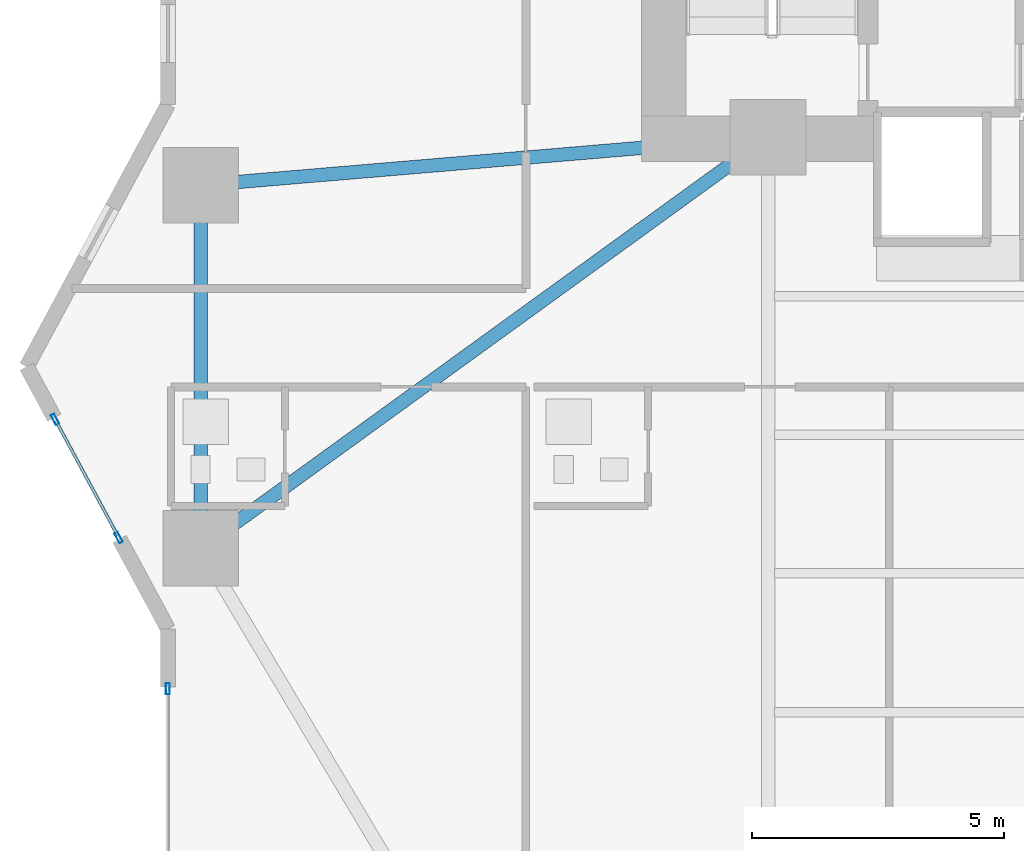
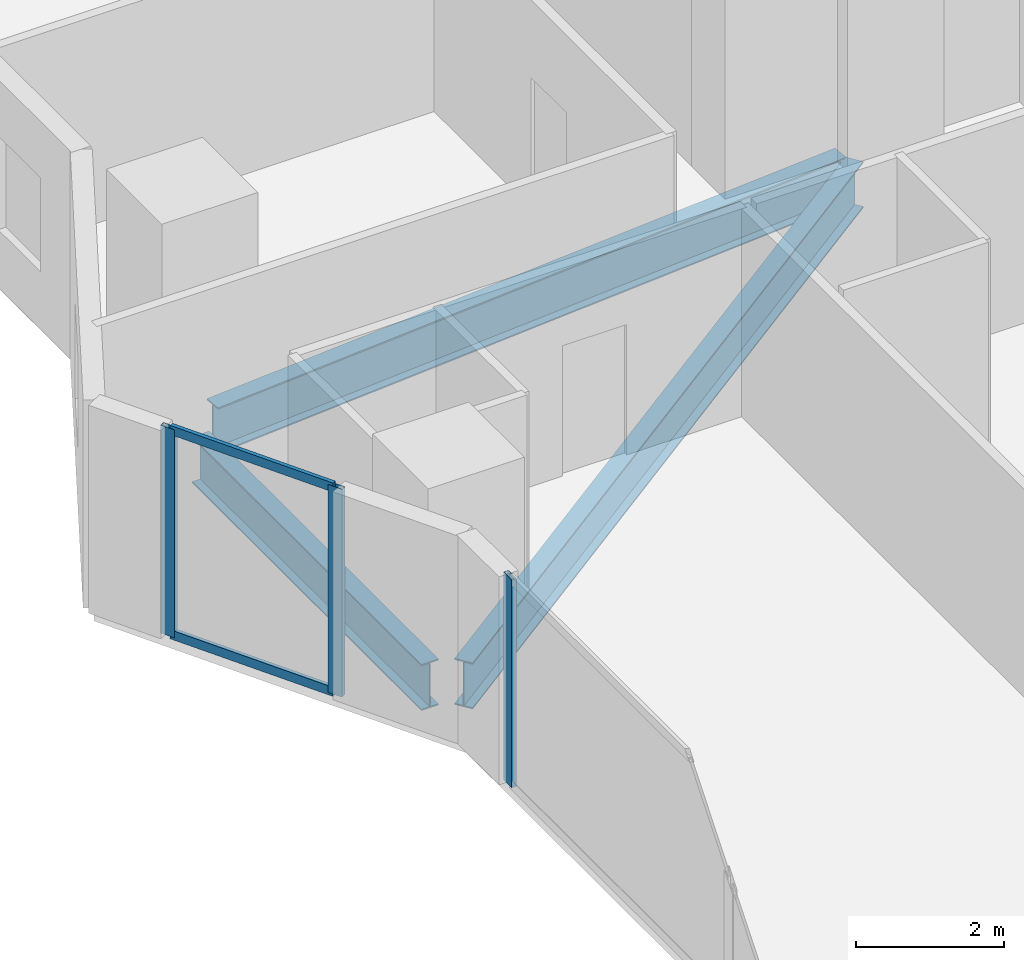
# One storey, part 6 of 28: 5 members, 3 beams, 2 elements without a shape of their own.
"""IFC4 building model written with IfcOpenShell, lengths in metres."""

from ifc_helpers import new_model, si_unit, direction, frame, origin, origin_2d, place, context, subcontext, project, spatial, hollow_rectangle, i_section, extrude, material, layer, layer_set, material_profile, profile_set, type_object, element, aggregate, save


model = new_model("IFC4")

# Units and contexts
model_context = context("Model", 3, precision=1e-05, world=origin(), true_north=direction((0.0, 1.0)))
body_context = subcontext(model_context, "Body", "Model", "MODEL_VIEW")
ifc_project = project(units=[si_unit("LENGTHUNIT", "METRE"), si_unit("AREAUNIT", "SQUARE_METRE"), si_unit("VOLUMEUNIT", "CUBIC_METRE"), si_unit("PLANEANGLEUNIT", "RADIAN"), si_unit("MASSUNIT", "GRAM", prefix="KILO")], contexts=[model_context])

# Site, building, storey
site_placement = place(None, origin())
site = spatial("IfcSite", under=ifc_project, at=site_placement, CompositionType="ELEMENT")
building_placement = place(site_placement, origin())
building = spatial("IfcBuilding", under=site, at=building_placement, Name="Zuhayl Quay Hotel", CompositionType="ELEMENT")
storey_placement = place(building_placement, frame((0.0, 0.0, 78.699951171875)))
storey = spatial("IfcBuildingStorey", under=building, at=storey_placement, Name="L19", CompositionType="ELEMENT", Elevation=78.699951171875)

# Beams
ifc_material_1 = material(Name="Steel ASTM A992 Grade 50", Category="steel")
ifc_material_profile_1 = material_profile(ifc_material_1, i_section(OverallWidth=0.26708984375, OverallDepth=0.761962890625, WebThickness=0.014404296875, FlangeThickness=0.021484375, at=origin_2d()), Name="W30X116")
ifc_profile_set_1 = profile_set([ifc_material_profile_1], Name="Steel ASTM A992 Grade 50")
beam_type = type_object("IfcBeamType", Name="BM_B1_W30X116", PredefinedType="BEAM", material=ifc_profile_set_1)
beam_1_placement = place(storey_placement, frame((-25.050048828125, 3.10009765625, -0.600830078125), z_axis=(0.0, -1.0, 0.0), x_axis=(1.0, 0.0, 0.0)))
element("IfcBeam", 1, at=beam_1_placement, inside=storey, type_object=beam_type, Name="L19 Floor Beam RG_L19_11", PredefinedType="BEAM", context=body_context, shape_type="SweptSolid", body=[
    extrude(i_section(OverallWidth=0.26708984375, OverallDepth=0.761962890625, WebThickness=0.014404296875, FlangeThickness=0.021484375, at=origin_2d()), origin(), (0.0, 0.0, 1.0), 6.2001953125),
])
beam_2_placement = place(storey_placement, frame((-24.64501953125, -3.306640625, -0.600830078125), z_axis=(0.809830244688, 0.586664277751, 0.0), x_axis=(-0.586664277751, 0.809830244688, 0.0)))
element("IfcBeam", 2, at=beam_2_placement, inside=storey, type_object=beam_type, Name="L19 Floor Beam FG_W_L19_1", PredefinedType="BEAM", context=body_context, shape_type="SweptSolid", body=[
    extrude(i_section(OverallWidth=0.26708984375, OverallDepth=0.761962890625, WebThickness=0.014404296875, FlangeThickness=0.021484375, at=origin_2d()), origin(), (0.0, 0.0, 1.0), 12.94189453125),
])
beam_3_placement = place(storey_placement, frame((-24.5517578125, 3.64208984375, -0.600830078125), z_axis=(0.996453145398, 0.084149444594, 0.0), x_axis=(-0.084149444594, 0.996453145398, 0.0)))
element("IfcBeam", 3, at=beam_3_placement, inside=storey, type_object=beam_type, Name="L19 Floor Beam FG_W_L19_2", PredefinedType="BEAM", context=body_context, shape_type="SweptSolid", body=[
    extrude(i_section(OverallWidth=0.26708984375, OverallDepth=0.761962890625, WebThickness=0.014404296875, FlangeThickness=0.021484375, at=origin_2d()), origin(), (0.0, 0.0, 1.0), 10.340087890625),
])

# Curtain wall, member
ifc_material_2 = material(Name="Anodised Aluminium 6063-T6", Category="aluminium")
ifc_layer = layer(ifc_material_2, 0.18994140625, Name="Anodised Aluminium 6063-T6", Category="aluminium")
ifc_layer_set = layer_set([ifc_layer], Name="Anodised Aluminium 6063-T6")
curtain_wall_type = type_object("IfcCurtainWallType", Name="CW_SYS_Z1", PredefinedType="USERDEFINED", material=ifc_layer_set)
curtain_wall_1_placement = place(storey_placement, origin())
curtain_wall_1 = element("IfcCurtainWall", 4, at=curtain_wall_1_placement, inside=storey, type_object=curtain_wall_type, Name="L19 Curtain Wall ENV_L19_E02_CW1", ObjectType="UNITISED CURTAIN WALL", PredefinedType="USERDEFINED")
ifc_material_3 = material(Name="Black-anodised aluminium 6063-T6", Category="aluminium")
ifc_material_profile_2 = material_profile(ifc_material_3, hollow_rectangle(XDim=0.074951171875, YDim=0.219970703125, WallThickness=0.00390625, at=origin_2d()), Name="ALU220X75")
ifc_profile_set_2 = profile_set([ifc_material_profile_2], Name="Black-anodised aluminium 6063-T6")
member_type_1 = type_object("IfcMemberType", Name="MB_CW_MUL_220", PredefinedType="MULLION", material=ifc_profile_set_2)
member_1_placement = place(storey_placement, frame((-25.699951171875, -6.387451171875, 0.0), z_axis=(0.0, 0.0, 1.0), x_axis=(-1.0, 0.0, 0.0)))
member_1 = element("IfcMember", 5, at=member_1_placement, type_object=member_type_1, Name="CW-Z1 mullion 3", PredefinedType="MULLION", context=body_context, shape_type="SweptSolid", body=[
    extrude(hollow_rectangle(XDim=0.074951171875, YDim=0.219970703125, WallThickness=0.00390625, at=origin_2d()), origin(), (0.0, 0.0, 1.0), 3.429931640625),
])
aggregate(curtain_wall_1, [member_1])

# Curtain wall, members
curtain_wall_2_placement = place(storey_placement, origin())
curtain_wall_2 = element("IfcCurtainWall", 6, at=curtain_wall_2_placement, inside=storey, type_object=curtain_wall_type, Name="L19 Curtain Wall ENV_L19_E03_CW1", ObjectType="UNITISED CURTAIN WALL", PredefinedType="USERDEFINED")
member_2_placement = place(storey_placement, frame((-26.67578125, -3.387939453125, 0.0), z_axis=(0.0, 0.0, 1.0), x_axis=(-0.880475795468, -0.474091102632, 0.0)))
member_2 = element("IfcMember", 7, at=member_2_placement, type_object=member_type_1, Name="CW-Z1 mullion 1", PredefinedType="MULLION", context=body_context, shape_type="SweptSolid", body=[
    extrude(hollow_rectangle(XDim=0.074951171875, YDim=0.219970703125, WallThickness=0.00390625, at=origin_2d()), origin(), (0.0, 0.0, 1.0), 3.429931640625),
])
member_3_placement = place(storey_placement, frame((-27.93701171875, -1.04541015625, 0.0), z_axis=(0.0, 0.0, 1.0), x_axis=(-0.880475795468, -0.474091102632, 0.0)))
member_3 = element("IfcMember", 8, at=member_3_placement, type_object=member_type_1, Name="CW-Z1 mullion 2", PredefinedType="MULLION", context=body_context, shape_type="SweptSolid", body=[
    extrude(hollow_rectangle(XDim=0.074951171875, YDim=0.219970703125, WallThickness=0.00390625, at=origin_2d()), origin(), (0.0, 0.0, 1.0), 3.429931640625),
])
ifc_material_profile_3 = material_profile(ifc_material_3, hollow_rectangle(XDim=0.06005859375, YDim=0.14990234375, WallThickness=0.00341796875, at=origin_2d()), Name="ALU150X60")
ifc_profile_set_3 = profile_set([ifc_material_profile_3], Name="Black-anodised aluminium 6063-T6")
member_type_2 = type_object("IfcMemberType", Name="MB_CW_TRN_150", PredefinedType="USERDEFINED", material=ifc_profile_set_3)
member_4_placement = place(storey_placement, frame((-26.693603515625, -3.35498046875, 0.030029296875), z_axis=(-0.474054771703, 0.880495356845, 0.0), x_axis=(-0.880495356845, -0.474054771703, 0.0)))
member_4 = element("IfcMember", 9, at=member_4_placement, type_object=member_type_2, Name="CW-Z1 transom 1.1", ObjectType="TRANSOM", PredefinedType="USERDEFINED", context=body_context, shape_type="SweptSolid", body=[
    extrude(hollow_rectangle(XDim=0.06005859375, YDim=0.14990234375, WallThickness=0.00341796875, at=origin_2d()), origin(), (0.0, 0.0, 1.0), 2.585205078125),
])
member_5_placement = place(storey_placement, frame((-26.693603515625, -3.35498046875, 3.400146484375), z_axis=(-0.474054771703, 0.880495356845, 0.0), x_axis=(-0.880495356845, -0.474054771703, 0.0)))
member_5 = element("IfcMember", 10, at=member_5_placement, type_object=member_type_2, Name="CW-Z1 transom 1.2", ObjectType="TRANSOM", PredefinedType="USERDEFINED", context=body_context, shape_type="SweptSolid", body=[
    extrude(hollow_rectangle(XDim=0.06005859375, YDim=0.14990234375, WallThickness=0.00341796875, at=origin_2d()), origin(), (0.0, 0.0, 1.0), 2.585205078125),
])
aggregate(curtain_wall_2, [member_2, member_3, member_4, member_5])

save(model, "model.ifc")
